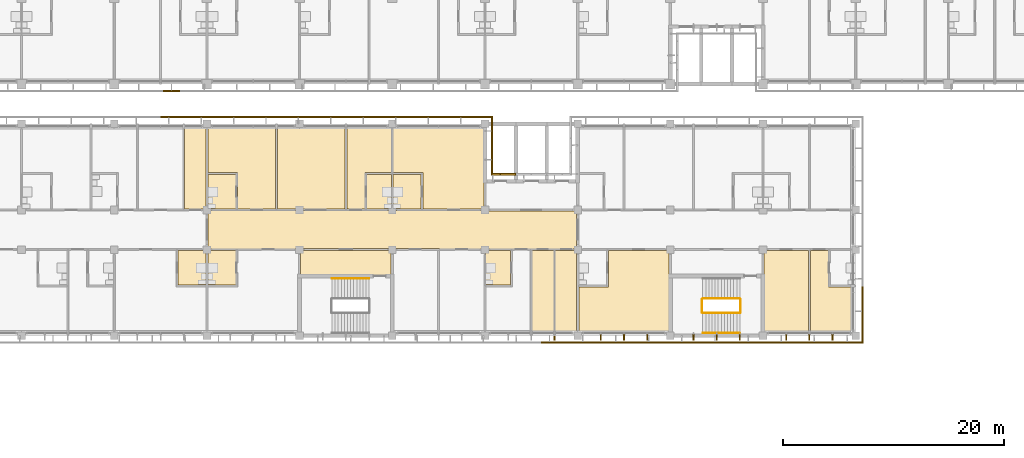
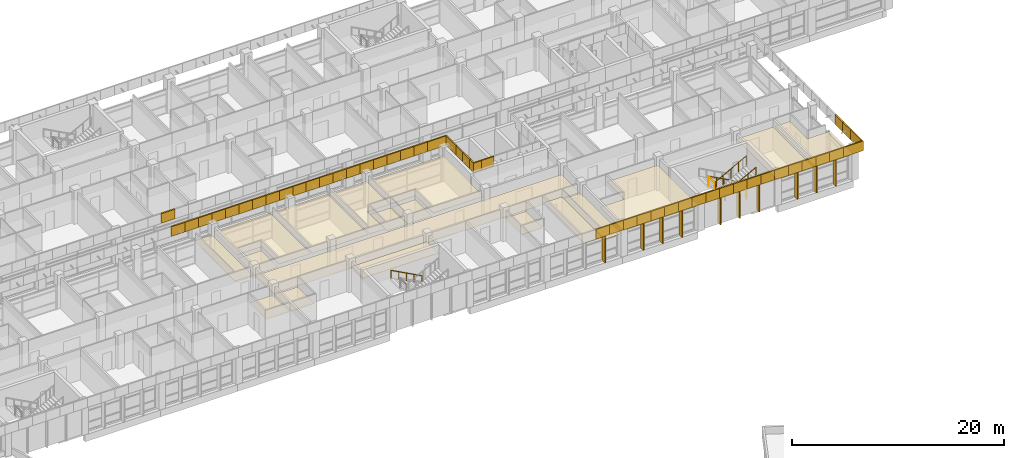
# One storey, part 67 of 74: 67 coverings, 10 shading devices, 6 railings.
"""IFC4 building model written with IfcOpenShell, lengths in metres."""

from ifc_helpers import new_model, si_unit, direction, frame, origin, origin_2d, place, context, subcontext, project, spatial, polyline, rectangle, circle, outline, extrude, material, layer, layer_set, material_profile, profile_set, type_object, element, save


model = new_model("IFC4")

# Units and contexts
model_context = context("Model", 3, precision=1e-05, world=origin(), true_north=direction((0.0, 1.0)))
body_context = subcontext(model_context, "Body", "Model", "MODEL_VIEW")
ifc_project = project(units=[si_unit("LENGTHUNIT", "METRE"), si_unit("AREAUNIT", "SQUARE_METRE"), si_unit("VOLUMEUNIT", "CUBIC_METRE"), si_unit("PLANEANGLEUNIT", "RADIAN"), si_unit("MASSUNIT", "GRAM", prefix="KILO")], contexts=[model_context])

# Site, building, storey
site_placement = place(None, origin())
site = spatial("IfcSite", under=ifc_project, at=site_placement, CompositionType="ELEMENT")
building_placement = place(site_placement, origin())
building = spatial("IfcBuilding", under=site, at=building_placement, Name="Bougainvillea Quay General Hospital", CompositionType="ELEMENT")
storey_placement = place(building_placement, frame((0.0, 0.0, 21.0)))
storey = spatial("IfcBuildingStorey", under=building, at=storey_placement, Name="L04", CompositionType="ELEMENT", Elevation=21.0)

# Coverings
ifc_material_1 = material(Name="Powder-coated aluminium fascia, white", Category="aluminium")
ifc_layer_1 = layer(ifc_material_1, 0.14990234375)
ifc_layer_set_1 = layer_set([ifc_layer_1], Name="Powder-coated aluminium fascia, white")
covering_type_1 = type_object("IfcCoveringType", Name="Aluminium fascia band white 150x1100", PredefinedType="CLADDING", material=ifc_layer_set_1)
covering_1_placement = place(storey_placement, frame((105.2470703125, 139.85009765625, 3.35009765625), z_axis=(0.0, 0.0, 1.0), x_axis=(1.0, 0.0, 0.0)))
element("IfcCovering", 1, at=covering_1_placement, inside=storey, type_object=covering_type_1, Name="Fascia band white e0 161", PredefinedType="CLADDING", context=body_context, shape_type="SweptSolid", body=[
    extrude(outline(polyline([(0.0, 0.0), (1.482421875, 0.0), (1.482421875, -0.150146484375), (0.0, -0.150146484375), (0.0, 0.0)])), origin(), (0.0, 0.0, 1.0), 1.10009765625),
])
for number, where, z_axis, x_axis, name in (
    (2, (139.5, 117.050048828125, 3.35009765625), (0.0, 0.0, 1.0), (1.0, 0.0, 0.0), "Fascia band white e0 79"),
    (3, (141.0, 117.050048828125, 3.35009765625), (0.0, 0.0, 1.0), (1.0, 0.0, 0.0), "Fascia band white e0 80"),
    (4, (142.5, 117.050048828125, 3.35009765625), (0.0, 0.0, 1.0), (1.0, 0.0, 0.0), "Fascia band white e0 81"),
    (5, (144.0, 117.050048828125, 3.35009765625), (0.0, 0.0, 1.0), (1.0, 0.0, 0.0), "Fascia band white e0 82"),
    (6, (145.5, 117.050048828125, 3.35009765625), (0.0, 0.0, 1.0), (1.0, 0.0, 0.0), "Fascia band white e0 83"),
    (7, (147.0, 117.050048828125, 3.35009765625), (0.0, 0.0, 1.0), (1.0, 0.0, 0.0), "Fascia band white e0 84"),
    (8, (148.5, 117.050048828125, 3.35009765625), (0.0, 0.0, 1.0), (1.0, 0.0, 0.0), "Fascia band white e0 85"),
    (9, (150.0, 117.050048828125, 3.35009765625), (0.0, 0.0, 1.0), (1.0, 0.0, 0.0), "Fascia band white e0 86"),
    (10, (151.5, 117.050048828125, 3.35009765625), (0.0, 0.0, 1.0), (1.0, 0.0, 0.0), "Fascia band white e0 87"),
    (11, (153.0, 117.050048828125, 3.35009765625), (0.0, 0.0, 1.0), (1.0, 0.0, 0.0), "Fascia band white e0 88"),
    (12, (154.5, 117.050048828125, 3.35009765625), (0.0, 0.0, 1.0), (1.0, 0.0, 0.0), "Fascia band white e0 89"),
    (13, (156.0, 117.050048828125, 3.35009765625), (0.0, 0.0, 1.0), (1.0, 0.0, 0.0), "Fascia band white e0 90"),
    (14, (157.5, 117.050048828125, 3.35009765625), (0.0, 0.0, 1.0), (1.0, 0.0, 0.0), "Fascia band white e0 91"),
    (15, (159.0, 117.050048828125, 3.35009765625), (0.0, 0.0, 1.0), (1.0, 0.0, 0.0), "Fascia band white e0 92"),
    (16, (160.5, 117.050048828125, 3.35009765625), (0.0, 0.0, 1.0), (1.0, 0.0, 0.0), "Fascia band white e0 93"),
    (17, (162.0, 117.050048828125, 3.35009765625), (0.0, 0.0, 1.0), (1.0, 0.0, 0.0), "Fascia band white e0 94"),
    (18, (163.5, 117.050048828125, 3.35009765625), (0.0, 0.0, 1.0), (1.0, 0.0, 0.0), "Fascia band white e0 95"),
    (19, (165.0, 117.050048828125, 3.35009765625), (0.0, 0.0, 1.0), (1.0, 0.0, 0.0), "Fascia band white e0 96"),
):
    element("IfcCovering", number, at=place(storey_placement, frame(where, z_axis=z_axis, x_axis=x_axis)), inside=storey, type_object=covering_type_1, Name=name, PredefinedType="CLADDING", context=body_context, shape_type="SweptSolid", body=[
        extrude(outline(polyline([(0.0, 0.0), (1.5, 0.0), (1.5, -0.150146484375), (0.0, -0.150146484375), (0.0, 0.0)])), origin(), (0.0, 0.0, 1.0), 1.10009765625),
    ])
covering_2_placement = place(storey_placement, frame((166.5, 117.050048828125, 3.35009765625), z_axis=(0.0, 0.0, 1.0), x_axis=(1.0, 0.0, 0.0)))
element("IfcCovering", 20, at=covering_2_placement, inside=storey, type_object=covering_type_1, Name="Fascia band white e0 97", PredefinedType="CLADDING", context=body_context, shape_type="SweptSolid", body=[
    extrude(outline(polyline([(0.0, 0.0), (2.050048828125, 0.0), (2.199951171875, -0.150146484375), (0.0, -0.150146484375), (0.0, 0.0)])), origin(), (0.0, 0.0, 1.0), 1.10009765625),
])
covering_3_placement = place(storey_placement, frame((168.550048828125, 117.050048828125, 3.35009765625), z_axis=(0.0, 0.0, 1.0), x_axis=(0.0, 1.0, 0.0)))
element("IfcCovering", 21, at=covering_3_placement, inside=storey, type_object=covering_type_1, Name="Fascia band white e0 98", PredefinedType="CLADDING", context=body_context, shape_type="SweptSolid", body=[
    extrude(outline(polyline([(0.0, 0.0), (2.02685546875, 0.0), (2.02685546875, -0.14990234375), (-0.150146484375, -0.14990234375), (0.0, 0.0)])), origin(), (0.0, 0.0, 1.0), 1.10009765625),
])
covering_4_placement = place(storey_placement, frame((168.550048828125, 119.076904296875, 3.35009765625), z_axis=(0.0, 0.0, 1.0), x_axis=(0.0, 1.0, 0.0)))
element("IfcCovering", 22, at=covering_4_placement, inside=storey, type_object=covering_type_1, Name="Fascia band white e0 99", PredefinedType="CLADDING", context=body_context, shape_type="SweptSolid", body=[
    extrude(outline(polyline([(0.0, 0.0), (1.47705078125, 0.0), (1.47705078125, -0.14990234375), (0.0, -0.14990234375), (0.0, 0.0)])), origin(), (0.0, 0.0, 1.0), 1.10009765625),
])
covering_5_placement = place(storey_placement, frame((168.550048828125, 120.553955078125, 3.35009765625), z_axis=(0.0, 0.0, 1.0), x_axis=(0.0, 1.0, 0.0)))
element("IfcCovering", 23, at=covering_5_placement, inside=storey, type_object=covering_type_1, Name="Fascia band white e0 100", PredefinedType="CLADDING", context=body_context, shape_type="SweptSolid", body=[
    extrude(outline(polyline([(0.0, 0.0), (1.476806640625, 0.0), (1.476806640625, -0.14990234375), (0.0, -0.14990234375), (0.0, 0.0)])), origin(), (0.0, 0.0, 1.0), 1.10009765625),
])
covering_6_placement = place(storey_placement, frame((137.199951171875, 132.14990234375, 3.35009765625), z_axis=(0.0, 0.0, 1.0), x_axis=(-1.0, 0.0, 0.0)))
element("IfcCovering", 24, at=covering_6_placement, inside=storey, type_object=covering_type_1, Name="Fascia band white e0 136", PredefinedType="CLADDING", context=body_context, shape_type="SweptSolid", body=[
    extrude(outline(polyline([(0.0, 0.0), (1.39990234375, 0.0), (1.39990234375, -0.150146484375), (0.0, -0.150146484375), (0.0, 0.0)])), origin(), (0.0, 0.0, 1.0), 1.10009765625),
])
covering_7_placement = place(storey_placement, frame((135.800048828125, 132.14990234375, 3.35009765625), z_axis=(0.0, 0.0, 1.0), x_axis=(-1.0, 0.0, 0.0)))
element("IfcCovering", 25, at=covering_7_placement, inside=storey, type_object=covering_type_1, Name="Fascia band white e0 137", PredefinedType="CLADDING", context=body_context, shape_type="SweptSolid", body=[
    extrude(outline(polyline([(0.0, 0.0), (0.85009765625, 0.0), (0.699951171875, -0.150146484375), (0.0, -0.150146484375), (0.0, 0.0)])), origin(), (0.0, 0.0, 1.0), 1.10009765625),
])
covering_8_placement = place(storey_placement, frame((134.949951171875, 132.14990234375, 3.35009765625), z_axis=(0.0, 0.0, 1.0), x_axis=(0.0, 1.0, 0.0)))
element("IfcCovering", 26, at=covering_8_placement, inside=storey, type_object=covering_type_1, Name="Fascia band white e0 138", PredefinedType="CLADDING", context=body_context, shape_type="SweptSolid", body=[
    extrude(outline(polyline([(0.0, 0.0), (0.75, 0.0), (0.75, -0.150146484375), (0.150146484375, -0.150146484375), (0.0, 0.0)])), origin(), (0.0, 0.0, 1.0), 1.10009765625),
])
for number, where, z_axis, x_axis, name in (
    (27, (134.949951171875, 132.89990234375, 3.35009765625), (0.0, 0.0, 1.0), (0.0, 1.0, 0.0), "Fascia band white e0 139"),
    (28, (134.949951171875, 134.199951171875, 3.35009765625), (0.0, 0.0, 1.0), (0.0, 1.0, 0.0), "Fascia band white e0 140"),
):
    element("IfcCovering", number, at=place(storey_placement, frame(where, z_axis=z_axis, x_axis=x_axis)), inside=storey, type_object=covering_type_1, Name=name, PredefinedType="CLADDING", context=body_context, shape_type="SweptSolid", body=[
        extrude(outline(polyline([(0.0, 0.0), (1.300048828125, 0.0), (1.300048828125, -0.150146484375), (0.0, -0.150146484375), (0.0, 0.0)])), origin(), (0.0, 0.0, 1.0), 1.10009765625),
    ])
covering_9_placement = place(storey_placement, frame((134.949951171875, 135.5, 3.35009765625), z_axis=(0.0, 0.0, 1.0), x_axis=(0.0, 1.0, 0.0)))
element("IfcCovering", 29, at=covering_9_placement, inside=storey, type_object=covering_type_1, Name="Fascia band white e0 141", PredefinedType="CLADDING", context=body_context, shape_type="SweptSolid", body=[
    extrude(outline(polyline([(0.0, 0.0), (1.85009765625, 0.0), (2.0, -0.150146484375), (0.0, -0.150146484375), (0.0, 0.0)])), origin(), (0.0, 0.0, 1.0), 1.10009765625),
])
covering_10_placement = place(storey_placement, frame((134.949951171875, 137.35009765625, 3.35009765625), z_axis=(0.0, 0.0, 1.0), x_axis=(-1.0, 0.0, 0.0)))
element("IfcCovering", 30, at=covering_10_placement, inside=storey, type_object=covering_type_1, Name="Fascia band white e0 142", PredefinedType="CLADDING", context=body_context, shape_type="SweptSolid", body=[
    extrude(outline(polyline([(0.0, 0.0), (2.02001953125, 0.0), (2.02001953125, -0.14990234375), (-0.150146484375, -0.14990234375), (0.0, 0.0)])), origin(), (0.0, 0.0, 1.0), 1.10009765625),
])
for number, where, z_axis, x_axis, name in (
    (31, (132.929931640625, 137.35009765625, 3.35009765625), (0.0, 0.0, 1.0), (-1.0, 0.0, 0.0), "Fascia band white e0 143"),
    (32, (131.4599609375, 137.35009765625, 3.35009765625), (0.0, 0.0, 1.0), (-1.0, 0.0, 0.0), "Fascia band white e0 144"),
    (33, (129.989990234375, 137.35009765625, 3.35009765625), (0.0, 0.0, 1.0), (-1.0, 0.0, 0.0), "Fascia band white e0 145"),
    (34, (128.52001953125, 137.35009765625, 3.35009765625), (0.0, 0.0, 1.0), (-1.0, 0.0, 0.0), "Fascia band white e0 146"),
    (35, (127.050048828125, 137.35009765625, 3.35009765625), (0.0, 0.0, 1.0), (-1.0, 0.0, 0.0), "Fascia band white e0 147"),
    (36, (125.580078125, 137.35009765625, 3.35009765625), (0.0, 0.0, 1.0), (-1.0, 0.0, 0.0), "Fascia band white e0 148"),
):
    element("IfcCovering", number, at=place(storey_placement, frame(where, z_axis=z_axis, x_axis=x_axis)), inside=storey, type_object=covering_type_1, Name=name, PredefinedType="CLADDING", context=body_context, shape_type="SweptSolid", body=[
        extrude(outline(polyline([(0.0, 0.0), (1.469970703125, 0.0), (1.469970703125, -0.14990234375), (0.0, -0.14990234375), (0.0, 0.0)])), origin(), (0.0, 0.0, 1.0), 1.10009765625),
    ])
covering_11_placement = place(storey_placement, frame((124.110107421875, 137.35009765625, 3.35009765625), z_axis=(0.0, 0.0, 1.0), x_axis=(-1.0, 0.0, 0.0)))
element("IfcCovering", 37, at=covering_11_placement, inside=storey, type_object=covering_type_1, Name="Fascia band white e0 149", PredefinedType="CLADDING", context=body_context, shape_type="SweptSolid", body=[
    extrude(outline(polyline([(0.0, 0.0), (1.47021484375, 0.0), (1.47021484375, -0.14990234375), (0.0, -0.14990234375), (0.0, 0.0)])), origin(), (0.0, 0.0, 1.0), 1.10009765625),
])
for number, where, z_axis, x_axis, name in (
    (38, (122.639892578125, 137.35009765625, 3.35009765625), (0.0, 0.0, 1.0), (-1.0, 0.0, 0.0), "Fascia band white e0 150"),
    (39, (121.169921875, 137.35009765625, 3.35009765625), (0.0, 0.0, 1.0), (-1.0, 0.0, 0.0), "Fascia band white e0 151"),
    (40, (119.699951171875, 137.35009765625, 3.35009765625), (0.0, 0.0, 1.0), (-1.0, 0.0, 0.0), "Fascia band white e0 152"),
    (41, (118.22998046875, 137.35009765625, 3.35009765625), (0.0, 0.0, 1.0), (-1.0, 0.0, 0.0), "Fascia band white e0 153"),
    (42, (116.760009765625, 137.35009765625, 3.35009765625), (0.0, 0.0, 1.0), (-1.0, 0.0, 0.0), "Fascia band white e0 154"),
    (43, (115.2900390625, 137.35009765625, 3.35009765625), (0.0, 0.0, 1.0), (-1.0, 0.0, 0.0), "Fascia band white e0 155"),
    (44, (113.820068359375, 137.35009765625, 3.35009765625), (0.0, 0.0, 1.0), (-1.0, 0.0, 0.0), "Fascia band white e0 156"),
):
    element("IfcCovering", number, at=place(storey_placement, frame(where, z_axis=z_axis, x_axis=x_axis)), inside=storey, type_object=covering_type_1, Name=name, PredefinedType="CLADDING", context=body_context, shape_type="SweptSolid", body=[
        extrude(outline(polyline([(0.0, 0.0), (1.469970703125, 0.0), (1.469970703125, -0.14990234375), (0.0, -0.14990234375), (0.0, 0.0)])), origin(), (0.0, 0.0, 1.0), 1.10009765625),
    ])
covering_12_placement = place(storey_placement, frame((112.35009765625, 137.35009765625, 3.35009765625), z_axis=(0.0, 0.0, 1.0), x_axis=(-1.0, 0.0, 0.0)))
element("IfcCovering", 45, at=covering_12_placement, inside=storey, type_object=covering_type_1, Name="Fascia band white e0 157", PredefinedType="CLADDING", context=body_context, shape_type="SweptSolid", body=[
    extrude(outline(polyline([(0.0, 0.0), (1.47021484375, 0.0), (1.47021484375, -0.14990234375), (0.0, -0.14990234375), (0.0, 0.0)])), origin(), (0.0, 0.0, 1.0), 1.10009765625),
])
for number, where, z_axis, x_axis, name in (
    (46, (110.8798828125, 137.35009765625, 3.35009765625), (0.0, 0.0, 1.0), (-1.0, 0.0, 0.0), "Fascia band white e0 158"),
    (47, (109.409912109375, 137.35009765625, 3.35009765625), (0.0, 0.0, 1.0), (-1.0, 0.0, 0.0), "Fascia band white e0 159"),
    (48, (107.93994140625, 137.35009765625, 3.35009765625), (0.0, 0.0, 1.0), (-1.0, 0.0, 0.0), "Fascia band white e0 160"),
    (49, (106.469970703125, 137.35009765625, 3.35009765625), (0.0, 0.0, 1.0), (-1.0, 0.0, 0.0), "Fascia band white e0 161"),
):
    element("IfcCovering", number, at=place(storey_placement, frame(where, z_axis=z_axis, x_axis=x_axis)), inside=storey, type_object=covering_type_1, Name=name, PredefinedType="CLADDING", context=body_context, shape_type="SweptSolid", body=[
        extrude(outline(polyline([(0.0, 0.0), (1.469970703125, 0.0), (1.469970703125, -0.14990234375), (0.0, -0.14990234375), (0.0, 0.0)])), origin(), (0.0, 0.0, 1.0), 1.10009765625),
    ])

# Railings
ifc_material_2 = material(Name="Stainless steel 304 balustrade", Category="steel")
railing_type_1 = type_object("IfcRailingType", Name="Stair guard 1100", PredefinedType="GUARDRAIL", material=ifc_material_2)
railing_1_placement = place(storey_placement, frame((157.5, 120.949951171875, 0.14990234375)))
element("IfcRailing", 50, at=railing_1_placement, inside=storey, type_object=railing_type_1, Name="L04 ST-B4 stair guard 1", PredefinedType="GUARDRAIL", context=body_context, shape_type="SweptSolid", body=[
    extrude(circle(Radius=0.02392578125, at=origin_2d()), frame((0.0, 0.0, 1.076171875), z_axis=(-0.881480922165, 0.0, 0.47221963519), x_axis=(0.0, -1.0, 0.0)), (0.0, 0.0, 1.0), 3.811767578125),
    extrude(circle(Radius=0.02099609375, at=origin_2d()), origin(), (0.0, 0.0, 1.0), 1.052001953125),
    extrude(circle(Radius=0.02099609375, at=origin_2d()), frame((-0.840087890625, 0.0, 0.449951171875)), (0.0, 0.0, 1.0), 1.052001953125),
    extrude(circle(Radius=0.02099609375, at=origin_2d()), frame((-1.68017578125, 0.0, 0.89990234375)), (0.0, 0.0, 1.0), 1.052001953125),
    extrude(circle(Radius=0.02099609375, at=origin_2d()), frame((-2.52001953125, 0.0, 1.35009765625)), (0.0, 0.0, 1.0), 1.052001953125),
    extrude(circle(Radius=0.02099609375, at=origin_2d()), frame((-3.360107421875, 0.0, 1.800048828125)), (0.0, 0.0, 1.0), 1.052001953125),
])
railing_2_placement = place(storey_placement, frame((154.090087890625, 120.89990234375, 1.949951171875)))
element("IfcRailing", 51, at=railing_2_placement, inside=storey, type_object=railing_type_1, Name="L04 ST-B4 stair guard 2", PredefinedType="GUARDRAIL", context=body_context, shape_type="SweptSolid", body=[
    extrude(circle(Radius=0.02392578125, at=origin_2d()), frame((0.0, 0.0, 1.076171875), z_axis=(0.0, -1.0, 0.0), x_axis=(1.0, 0.0, 0.0)), (0.0, 0.0, 1.0), 1.199951171875),
    extrude(circle(Radius=0.02099609375, at=origin_2d()), origin(), (0.0, 0.0, 1.0), 1.052001953125),
    extrude(circle(Radius=0.02099609375, at=origin_2d()), frame((0.0, -1.199951171875, 0.0)), (0.0, 0.0, 1.0), 1.052001953125),
])
railing_3_placement = place(storey_placement, frame((154.139892578125, 119.64990234375, 2.10009765625)))
element("IfcRailing", 52, at=railing_3_placement, inside=storey, type_object=railing_type_1, Name="L04 ST-B4 stair guard 3", PredefinedType="GUARDRAIL", context=body_context, shape_type="SweptSolid", body=[
    extrude(circle(Radius=0.02392578125, at=origin_2d()), frame((0.0, 0.0, 1.076171875), z_axis=(0.881507581359, 0.0, 0.472169867745), x_axis=(0.0, 1.0, 0.0)), (0.0, 0.0, 1.0), 3.811767578125),
    extrude(circle(Radius=0.02099609375, at=origin_2d()), origin(), (0.0, 0.0, 1.0), 1.052001953125),
    extrude(circle(Radius=0.02099609375, at=origin_2d()), frame((0.840087890625, 0.0, 0.449951171875)), (0.0, 0.0, 1.0), 1.052001953125),
    extrude(circle(Radius=0.02099609375, at=origin_2d()), frame((1.68017578125, 0.0, 0.89990234375)), (0.0, 0.0, 1.0), 1.052001953125),
    extrude(circle(Radius=0.02099609375, at=origin_2d()), frame((2.52001953125, 0.0, 1.349853515625)), (0.0, 0.0, 1.0), 1.052001953125),
    extrude(circle(Radius=0.02099609375, at=origin_2d()), frame((3.360107421875, 0.0, 1.7998046875)), (0.0, 0.0, 1.0), 1.052001953125),
])
railing_4_placement = place(storey_placement, frame((157.550048828125, 120.89990234375, 0.0)))
element("IfcRailing", 53, at=railing_4_placement, inside=storey, type_object=railing_type_1, Name="L04 ST-B4 stair guard 4", PredefinedType="GUARDRAIL", context=body_context, shape_type="SweptSolid", body=[
    extrude(circle(Radius=0.02392578125, at=origin_2d()), frame((0.0, 0.0, 1.076171875), z_axis=(0.0, -1.0, 0.0), x_axis=(1.0, 0.0, 0.0)), (0.0, 0.0, 1.0), 1.199951171875),
    extrude(circle(Radius=0.02099609375, at=origin_2d()), origin(), (0.0, 0.0, 1.0), 1.052001953125),
    extrude(circle(Radius=0.02099609375, at=origin_2d()), frame((0.0, -1.199951171875, 0.0)), (0.0, 0.0, 1.0), 1.052001953125),
])
ifc_material_3 = material(Name="Stainless steel 304 handrail", Category="steel")
railing_type_2 = type_object("IfcRailingType", Name="Stair handrail 900", PredefinedType="HANDRAIL", material=ifc_material_3)
railing_5_placement = place(storey_placement, frame((123.89990234375, 122.77490234375, 0.14990234375)))
element("IfcRailing", 54, at=railing_5_placement, inside=storey, type_object=railing_type_2, Name="L04 ST-B3 stair handrail 1", PredefinedType="HANDRAIL", context=body_context, shape_type="SweptSolid", body=[
    extrude(circle(Radius=0.02392578125, at=origin_2d()), frame((0.0, 0.0, 0.8759765625), z_axis=(-0.881466638993, 0.0, 0.472246296272), x_axis=(0.0, -1.0, 0.0)), (0.0, 0.0, 1.0), 3.811767578125),
    extrude(circle(Radius=0.02099609375, at=origin_2d()), origin(), (0.0, 0.0, 1.0), 0.851806640625),
    extrude(circle(Radius=0.02099609375, at=origin_2d()), frame((-0.83984375, 0.0, 0.449951171875)), (0.0, 0.0, 1.0), 0.851806640625),
    extrude(circle(Radius=0.02099609375, at=origin_2d()), frame((-1.679931640625, 0.0, 0.89990234375)), (0.0, 0.0, 1.0), 0.851806640625),
    extrude(circle(Radius=0.02099609375, at=origin_2d()), frame((-2.52001953125, 0.0, 1.35009765625)), (0.0, 0.0, 1.0), 0.851806640625),
    extrude(circle(Radius=0.02099609375, at=origin_2d()), frame((-3.35986328125, 0.0, 1.800048828125)), (0.0, 0.0, 1.0), 0.851806640625),
])
railing_6_placement = place(storey_placement, frame((154.139892578125, 117.824951171875, 2.10009765625)))
element("IfcRailing", 55, at=railing_6_placement, inside=storey, type_object=railing_type_2, Name="L04 ST-B4 stair handrail 2", PredefinedType="HANDRAIL", context=body_context, shape_type="SweptSolid", body=[
    extrude(circle(Radius=0.02392578125, at=origin_2d()), frame((0.0, 0.0, 0.8759765625), z_axis=(0.881507581359, 0.0, 0.472169867745), x_axis=(0.0, 1.0, 0.0)), (0.0, 0.0, 1.0), 3.811767578125),
    extrude(circle(Radius=0.02099609375, at=origin_2d()), origin(), (0.0, 0.0, 1.0), 0.851806640625),
    extrude(circle(Radius=0.02099609375, at=origin_2d()), frame((0.840087890625, 0.0, 0.449951171875)), (0.0, 0.0, 1.0), 0.851806640625),
    extrude(circle(Radius=0.02099609375, at=origin_2d()), frame((1.68017578125, 0.0, 0.89990234375)), (0.0, 0.0, 1.0), 0.851806640625),
    extrude(circle(Radius=0.02099609375, at=origin_2d()), frame((2.52001953125, 0.0, 1.349853515625)), (0.0, 0.0, 1.0), 0.851806640625),
    extrude(circle(Radius=0.02099609375, at=origin_2d()), frame((3.360107421875, 0.0, 1.7998046875)), (0.0, 0.0, 1.0), 0.851806640625),
])

# Coverings
ifc_material_4 = material(Name="Mineral fibre ceiling tile")
ifc_layer_2 = layer(ifc_material_4, 0.030029296875)
ifc_layer_set_2 = layer_set([ifc_layer_2], Name="Mineral fibre ceiling tile")
covering_type_2 = type_object("IfcCoveringType", Name="Suspended ceiling mineral fibre tile", PredefinedType="CEILING", material=ifc_layer_set_2)
covering_13_placement = place(storey_placement, frame((0.0, 0.0, 2.699951171875)))
element("IfcCovering", 56, at=covering_13_placement, inside=storey, type_object=covering_type_2, Name="Ceiling Refuge Room RR-B4-L04", PredefinedType="CEILING", context=body_context, shape_type="SweptSolid", body=[
    extrude(outline(polyline([(163.699951171875, 117.60009765625), (163.699951171875, 125.300048828125), (159.699951171875, 125.300048828125), (159.699951171875, 117.60009765625), (163.699951171875, 117.60009765625)])), origin(), (0.0, 0.0, 1.0), 0.030029296875),
])
covering_14_placement = place(storey_placement, frame((0.0, 0.0, 2.699951171875)))
element("IfcCovering", 57, at=covering_14_placement, inside=storey, type_object=covering_type_2, Name="Ceiling Smoke-proof Vestibule ST-B3", PredefinedType="CEILING", context=body_context, shape_type="SweptSolid", body=[
    extrude(outline(polyline([(117.699951171875, 125.300048828125), (117.699951171875, 123.10009765625), (125.89990234375, 123.10009765625), (125.89990234375, 125.300048828125), (117.699951171875, 125.300048828125)])), origin(), (0.0, 0.0, 1.0), 0.030029296875),
])
covering_15_placement = place(storey_placement, frame((0.0, 0.0, 2.39990234375)))
element("IfcCovering", 58, at=covering_15_placement, inside=storey, type_object=covering_type_2, Name="Ceiling Cleaners' Store 04B16", PredefinedType="CEILING", context=body_context, shape_type="SweptSolid", body=[
    extrude(outline(polyline([(107.14990234375, 136.800048828125), (107.14990234375, 129.074951171875), (109.10009765625, 129.074951171875), (109.10009765625, 136.800048828125), (107.14990234375, 136.800048828125)])), origin(), (0.0, 0.0, 1.0), 0.030029296875),
])
covering_16_placement = place(storey_placement, frame((0.0, 0.0, 2.39990234375)))
element("IfcCovering", 59, at=covering_16_placement, inside=storey, type_object=covering_type_2, Name="Ceiling En-suite 04B19", PredefinedType="CEILING", context=body_context, shape_type="SweptSolid", body=[
    extrude(outline(polyline([(109.10009765625, 125.324951171875), (106.574951171875, 125.324951171875), (106.574951171875, 122.175048828125), (109.10009765625, 122.175048828125), (109.10009765625, 125.324951171875)])), origin(), (0.0, 0.0, 1.0), 0.030029296875),
])
covering_17_placement = place(storey_placement, frame((0.0, 0.0, 2.39990234375)))
element("IfcCovering", 60, at=covering_17_placement, inside=storey, type_object=covering_type_2, Name="Ceiling En-suite 04B20", PredefinedType="CEILING", context=body_context, shape_type="SweptSolid", body=[
    extrude(outline(polyline([(109.300048828125, 125.324951171875), (109.300048828125, 122.175048828125), (111.824951171875, 122.175048828125), (111.824951171875, 125.324951171875), (109.300048828125, 125.324951171875)])), origin(), (0.0, 0.0, 1.0), 0.030029296875),
])
covering_18_placement = place(storey_placement, frame((0.0, 0.0, 2.699951171875)))
element("IfcCovering", 61, at=covering_18_placement, inside=storey, type_object=covering_type_2, Name="Ceiling Two-bed Surgical Room 04B21", PredefinedType="CEILING", context=body_context, shape_type="SweptSolid", body=[
    extrude(outline(polyline([(109.300048828125, 136.800048828125), (109.300048828125, 132.375), (111.97509765625, 132.375), (111.97509765625, 129.074951171875), (115.425048828125, 129.074951171875), (115.425048828125, 136.800048828125), (109.300048828125, 136.800048828125)])), origin(), (0.0, 0.0, 1.0), 0.030029296875),
])
covering_19_placement = place(storey_placement, frame((0.0, 0.0, 2.39990234375)))
element("IfcCovering", 62, at=covering_19_placement, inside=storey, type_object=covering_type_2, Name="Ceiling En-suite 04B21", PredefinedType="CEILING", context=body_context, shape_type="SweptSolid", body=[
    extrude(outline(polyline([(109.300048828125, 132.22509765625), (109.300048828125, 129.074951171875), (111.824951171875, 129.074951171875), (111.824951171875, 132.22509765625), (109.300048828125, 132.22509765625)])), origin(), (0.0, 0.0, 1.0), 0.030029296875),
])
covering_20_placement = place(storey_placement, frame((0.0, 0.0, 2.699951171875)))
element("IfcCovering", 63, at=covering_20_placement, inside=storey, type_object=covering_type_2, Name="Ceiling Nurses' Station 04B22", PredefinedType="CEILING", context=body_context, shape_type="SweptSolid", body=[
    extrude(outline(polyline([(115.574951171875, 136.800048828125), (115.574951171875, 129.074951171875), (121.72509765625, 129.074951171875), (121.72509765625, 136.800048828125), (115.574951171875, 136.800048828125)])), origin(), (0.0, 0.0, 1.0), 0.030029296875),
])
covering_21_placement = place(storey_placement, frame((0.0, 0.0, 2.699951171875)))
element("IfcCovering", 64, at=covering_21_placement, inside=storey, type_object=covering_type_2, Name="Ceiling Post-operative Patient Room 04B23", PredefinedType="CEILING", context=body_context, shape_type="SweptSolid", body=[
    extrude(outline(polyline([(121.875, 136.800048828125), (121.875, 129.074951171875), (123.52490234375, 129.074951171875), (123.52490234375, 132.375), (125.925048828125, 132.375), (125.925048828125, 136.800048828125), (121.875, 136.800048828125)])), origin(), (0.0, 0.0, 1.0), 0.030029296875),
])
covering_22_placement = place(storey_placement, frame((0.0, 0.0, 2.39990234375)))
element("IfcCovering", 65, at=covering_22_placement, inside=storey, type_object=covering_type_2, Name="Ceiling En-suite 04B23", PredefinedType="CEILING", context=body_context, shape_type="SweptSolid", body=[
    extrude(outline(polyline([(125.949951171875, 129.074951171875), (125.949951171875, 132.22509765625), (123.675048828125, 132.22509765625), (123.675048828125, 129.074951171875), (125.949951171875, 129.074951171875)])), origin(), (0.0, 0.0, 1.0), 0.030029296875),
])
covering_23_placement = place(storey_placement, frame((0.0, 0.0, 2.699951171875)))
element("IfcCovering", 66, at=covering_23_placement, inside=storey, type_object=covering_type_2, Name="Ceiling Surgical Ward Room 04B24", PredefinedType="CEILING", context=body_context, shape_type="SweptSolid", body=[
    extrude(outline(polyline([(126.074951171875, 136.800048828125), (126.074951171875, 132.375), (128.77490234375, 132.375), (128.77490234375, 129.074951171875), (134.300048828125, 129.074951171875), (134.300048828125, 131.60009765625), (134.39990234375, 131.60009765625), (134.39990234375, 136.800048828125), (126.074951171875, 136.800048828125)])), origin(), (0.0, 0.0, 1.0), 0.030029296875),
])
covering_24_placement = place(storey_placement, frame((0.0, 0.0, 2.39990234375)))
element("IfcCovering", 67, at=covering_24_placement, inside=storey, type_object=covering_type_2, Name="Ceiling En-suite 04B24", PredefinedType="CEILING", context=body_context, shape_type="SweptSolid", body=[
    extrude(outline(polyline([(128.625, 132.22509765625), (126.050048828125, 132.22509765625), (126.050048828125, 129.074951171875), (128.625, 129.074951171875), (128.625, 132.22509765625)])), origin(), (0.0, 0.0, 1.0), 0.030029296875),
])
covering_25_placement = place(storey_placement, frame((0.0, 0.0, 2.39990234375)))
element("IfcCovering", 68, at=covering_25_placement, inside=storey, type_object=covering_type_2, Name="Ceiling En-suite 04B26", PredefinedType="CEILING", context=body_context, shape_type="SweptSolid", body=[
    extrude(outline(polyline([(136.72509765625, 122.175048828125), (136.72509765625, 125.324951171875), (134.449951171875, 125.324951171875), (134.449951171875, 122.175048828125), (136.72509765625, 122.175048828125)])), origin(), (0.0, 0.0, 1.0), 0.030029296875),
])
covering_26_placement = place(storey_placement, frame((0.0, 0.0, 2.699951171875)))
element("IfcCovering", 69, at=covering_26_placement, inside=storey, type_object=covering_type_2, Name="Ceiling Dirty Utility and Sluice Room 04B27", PredefinedType="CEILING", context=body_context, shape_type="SweptSolid", body=[
    extrude(outline(polyline([(140.64990234375, 117.60009765625), (140.64990234375, 125.324951171875), (138.675048828125, 125.324951171875), (138.675048828125, 117.60009765625), (140.64990234375, 117.60009765625)])), origin(), (0.0, 0.0, 1.0), 0.030029296875),
])
covering_27_placement = place(storey_placement, frame((0.0, 0.0, 2.39990234375)))
element("IfcCovering", 70, at=covering_27_placement, inside=storey, type_object=covering_type_2, Name="Ceiling Cleaners' Store 04B28", PredefinedType="CEILING", context=body_context, shape_type="SweptSolid", body=[
    extrude(outline(polyline([(142.699951171875, 117.60009765625), (142.699951171875, 125.324951171875), (140.75, 125.324951171875), (140.75, 117.60009765625), (142.699951171875, 117.60009765625)])), origin(), (0.0, 0.0, 1.0), 0.030029296875),
])
covering_28_placement = place(storey_placement, frame((0.0, 0.0, 2.699951171875)))
element("IfcCovering", 71, at=covering_28_placement, inside=storey, type_object=covering_type_2, Name="Ceiling Four-bed Ward Room 04B29", PredefinedType="CEILING", context=body_context, shape_type="SweptSolid", body=[
    extrude(outline(polyline([(151.125, 117.60009765625), (151.125, 122.89990234375), (151.10009765625, 122.89990234375), (151.10009765625, 125.324951171875), (145.574951171875, 125.324951171875), (145.574951171875, 122.02490234375), (142.89990234375, 122.02490234375), (142.89990234375, 117.60009765625), (151.125, 117.60009765625)])), origin(), (0.0, 0.0, 1.0), 0.030029296875),
])
covering_29_placement = place(storey_placement, frame((0.0, 0.0, 2.699951171875)))
element("IfcCovering", 72, at=covering_29_placement, inside=storey, type_object=covering_type_2, Name="Ceiling Patient Room 04B35", PredefinedType="CEILING", context=body_context, shape_type="SweptSolid", body=[
    extrude(outline(polyline([(168.0, 117.60009765625), (168.0, 122.02490234375), (165.52490234375, 122.02490234375), (165.52490234375, 125.324951171875), (163.89990234375, 125.324951171875), (163.89990234375, 117.60009765625), (168.0, 117.60009765625)])), origin(), (0.0, 0.0, 1.0), 0.030029296875),
])
covering_30_placement = place(storey_placement, frame((0.0, 0.0, 2.39990234375)))
element("IfcCovering", 73, at=covering_30_placement, inside=storey, type_object=covering_type_2, Name="Ceiling Ward Corridor B3", PredefinedType="CEILING", context=body_context, shape_type="SweptSolid", body=[
    extrude(outline(polyline([(109.300048828125, 125.47509765625), (117.5, 125.47509765625), (117.5, 125.5), (130.300048828125, 125.5), (130.300048828125, 125.47509765625), (142.699951171875, 125.47509765625), (142.699951171875, 128.89990234375), (134.300048828125, 128.89990234375), (134.300048828125, 128.925048828125), (109.300048828125, 128.925048828125), (109.300048828125, 125.47509765625)])), origin(), (0.0, 0.0, 1.0), 0.030029296875),
])

# Shading devices
ifc_material_5 = material(Name="Powder-coated aluminium fin, white", Category="aluminium")
ifc_material_profile = material_profile(ifc_material_5, rectangle(XDim=0.550048828125, YDim=0.10009765625, at=origin_2d()))
ifc_profile_set = profile_set([ifc_material_profile], Name="Powder-coated aluminium fin, white")
shading_device_type = type_object("IfcShadingDeviceType", Name="Vertical fin 550x100", PredefinedType="USERDEFINED", material=ifc_profile_set)
for number, where, z_axis, x_axis, name in (
    (74, (165.89990234375, 117.455078125, 0.0), (0.0, 0.0, 1.0), (0.0, -1.0, 0.0), "Vertical fin V5B L04 01.1"),
    (75, (163.800048828125, 117.455078125, 0.0), (0.0, 0.0, 1.0), (0.0, -1.0, 0.0), "Vertical fin V5B L04 01.2"),
    (76, (161.699951171875, 117.455078125, 0.0), (0.0, 0.0, 1.0), (0.0, -1.0, 0.0), "Vertical fin V5B L04 01.3"),
    (77, (157.5, 117.455078125, 0.0), (0.0, 0.0, 1.0), (0.0, -1.0, 0.0), "Vertical fin V5B L04 01.4"),
    (78, (155.39990234375, 117.455078125, 0.0), (0.0, 0.0, 1.0), (0.0, -1.0, 0.0), "Vertical fin V5B L04 01.5"),
    (79, (153.300048828125, 117.455078125, 0.0), (0.0, 0.0, 1.0), (0.0, -1.0, 0.0), "Vertical fin V5B L04 01.6"),
    (80, (149.10009765625, 117.455078125, 0.0), (0.0, 0.0, 1.0), (0.0, -1.0, 0.0), "Vertical fin V5B L04 01.7"),
    (81, (147.0, 117.455078125, 0.0), (0.0, 0.0, 1.0), (0.0, -1.0, 0.0), "Vertical fin V5B L04 01.8"),
    (82, (144.89990234375, 117.455078125, 0.0), (0.0, 0.0, 1.0), (0.0, -1.0, 0.0), "Vertical fin V5B L04 01.9"),
    (83, (140.699951171875, 117.455078125, 0.0), (0.0, 0.0, 1.0), (0.0, -1.0, 0.0), "Vertical fin V5B L04 01.10"),
):
    element("IfcShadingDevice", number, at=place(storey_placement, frame(where, z_axis=z_axis, x_axis=x_axis)), inside=storey, type_object=shading_device_type, Name=name, ObjectType="Vertical fin", PredefinedType="USERDEFINED", context=body_context, shape_type="SweptSolid", body=[
        extrude(rectangle(XDim=0.550048828125, YDim=0.10009765625, at=origin_2d()), origin(), (0.0, 0.0, 1.0), 3.330078125),
    ])

save(model, "model.ifc")
